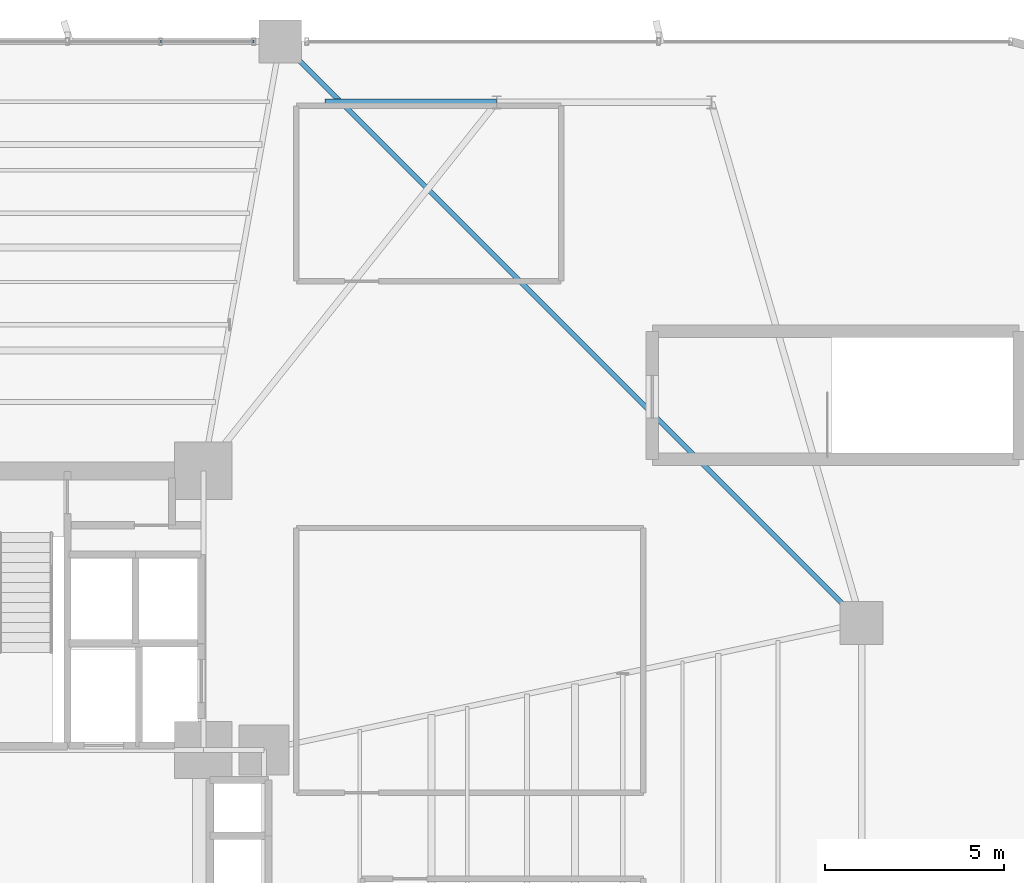
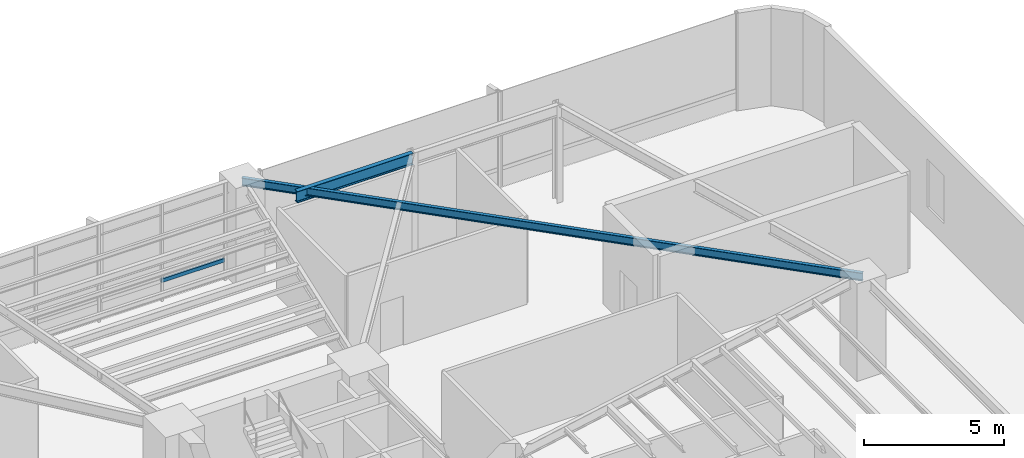
# One storey, part 16 of 26: 2 beams, 1 member, 1 element without a shape of its own.
"""IFC4 building model written with IfcOpenShell, lengths in metres."""

from ifc_helpers import new_model, si_unit, direction, frame, origin, origin_2d, place, context, subcontext, project, spatial, hollow_rectangle, i_section, extrude, source, transform, mapped, material, material_profile, profile_set, type_object, element, aggregate, save


model = new_model("IFC4")

# Units and contexts
model_context = context("Model", 3, precision=1e-05, world=origin(), true_north=direction((0.0, 1.0)))
body_context = subcontext(model_context, "Body", "Model", "MODEL_VIEW")
ifc_project = project(units=[si_unit("LENGTHUNIT", "METRE"), si_unit("AREAUNIT", "SQUARE_METRE"), si_unit("VOLUMEUNIT", "CUBIC_METRE"), si_unit("PLANEANGLEUNIT", "RADIAN"), si_unit("MASSUNIT", "GRAM", prefix="KILO")], contexts=[model_context])

# Site, building, storey
site_placement = place(None, origin())
site = spatial("IfcSite", under=ifc_project, at=site_placement, CompositionType="ELEMENT")
building_placement = place(site_placement, origin())
building = spatial("IfcBuilding", under=site, at=building_placement, Name="Sahyath Konkavel Grand Hotel", CompositionType="ELEMENT")
storey_placement = place(building_placement, frame((0.0, 0.0, 18.60009765625)))
storey = spatial("IfcBuildingStorey", under=building, at=storey_placement, Name="L04", CompositionType="ELEMENT", Elevation=18.60009765625)

# Beams
ifc_material_1 = material(Name="Steel E350", Category="steel")
ifc_material_profile_1 = material_profile(ifc_material_1, i_section(OverallWidth=0.179931640625, OverallDepth=0.5, WebThickness=0.01025390625, FlangeThickness=0.01708984375, FilletRadius=0.01708984375, at=origin_2d()), Name="ISMB 500")
ifc_profile_set_1 = profile_set([ifc_material_profile_1], Name="Steel E350")
beam_type_1 = type_object("IfcBeamType", Name="BM-ISMB500", PredefinedType="BEAM", material=ifc_profile_set_1)
shared_shape_1 = source(origin(), body_context, "Body", "SweptSolid", [
    extrude(i_section(OverallWidth=0.179931640625, OverallDepth=0.5, WebThickness=0.01025390625, FlangeThickness=0.01708984375, FilletRadius=0.01708984375, at=origin_2d()), origin(), (0.0, 0.0, 1.0), 4.800048828125),
])
beam_1_placement = place(storey_placement, frame((7.199951171875, 20.5, 3.949951171875), z_axis=(1.0, 0.0, 0.0), x_axis=(0.0, 1.0, 0.0)))
element("IfcBeam", 1, at=beam_1_placement, inside=storey, type_object=beam_type_1, Name="str:bm:L04:POD34-03", PredefinedType="BEAM", context=body_context, shape_type="MappedRepresentation", body=[
    mapped(shared_shape_1, transform((0.0, 0.0, 0.0), scale=1.0)),
])
ifc_material_profile_2 = material_profile(ifc_material_1, i_section(OverallWidth=0.139892578125, OverallDepth=0.35009765625, WebThickness=0.008056640625, FlangeThickness=0.01416015625, FilletRadius=0.013916015625, at=origin_2d()), Name="ISMB 350")
ifc_profile_set_2 = profile_set([ifc_material_profile_2], Name="Steel E350")
beam_type_2 = type_object("IfcBeamType", Name="BM-ISMB350", PredefinedType="BEAM", material=ifc_profile_set_2)
shared_shape_2 = source(origin(), body_context, "Body", "SweptSolid", [
    extrude(i_section(OverallWidth=0.139892578125, OverallDepth=0.35009765625, WebThickness=0.008056640625, FlangeThickness=0.01416015625, FilletRadius=0.013916015625, at=origin_2d()), origin(), (0.0, 0.0, 1.0), 22.98095703125),
])
beam_2_placement = place(storey_placement, frame((22.199951171875, 5.949951171875, 4.02490234375), z_axis=(-0.707106781187, 0.707106781187, 0.0), x_axis=(-0.707106781187, -0.707106781187, 0.0)))
element("IfcBeam", 2, at=beam_2_placement, inside=storey, type_object=beam_type_2, Name="L04 Re-Entrant Tie Beam NE", PredefinedType="BEAM", context=body_context, shape_type="MappedRepresentation", body=[
    mapped(shared_shape_2, transform((0.0, 0.0, 0.0), scale=1.0)),
])

# Curtain wall, member
ifc_material_2 = material(Name="Anodised Bronze Aluminium & Low-E Glazing", Category="aluminium")
curtain_wall_type = type_object("IfcCurtainWallType", Name="CW-PODIUM", PredefinedType="NOTDEFINED", material=ifc_material_2)
curtain_wall_placement = place(storey_placement, origin())
curtain_wall = element("IfcCurtainWall", 3, at=curtain_wall_placement, inside=storey, type_object=curtain_wall_type, Name="L04 Unitised Curtain Wall N2", PredefinedType="NOTDEFINED")
ifc_material_3 = material(Name="Anodised Bronze Aluminium", Category="aluminium")
ifc_material_profile_3 = material_profile(ifc_material_3, hollow_rectangle(XDim=0.080078125, YDim=0.159912109375, WallThickness=0.006103515625, at=origin_2d()), Name="RHS 160x80x6")
ifc_profile_set_3 = profile_set([ifc_material_profile_3], Name="Anodised Bronze Aluminium")
member_type = type_object("IfcMemberType", Name="CW-TRN-160", PredefinedType="USERDEFINED", material=ifc_profile_set_3)
shared_shape_3 = source(origin(), body_context, "Body", "SweptSolid", [
    extrude(hollow_rectangle(XDim=0.080078125, YDim=0.159912109375, WallThickness=0.006103515625, at=origin_2d()), origin(), (0.0, 0.0, 1.0), 2.60498046875),
])
member_placement = place(storey_placement, frame((5.2099609375, 22.199951171875, 0.849853515625), z_axis=(-1.0, 0.0, 0.0), x_axis=(0.0, -1.0, 0.0)))
member = element("IfcMember", 4, at=member_placement, type_object=member_type, Name="L04 Curtain Wall Transom N2-0-spandrel", ObjectType="TRANSOM", PredefinedType="USERDEFINED", context=body_context, shape_type="MappedRepresentation", body=[
    mapped(shared_shape_3, transform((0.0, 0.0, 0.0), scale=1.0)),
])
aggregate(curtain_wall, [member])

save(model, "model.ifc")
